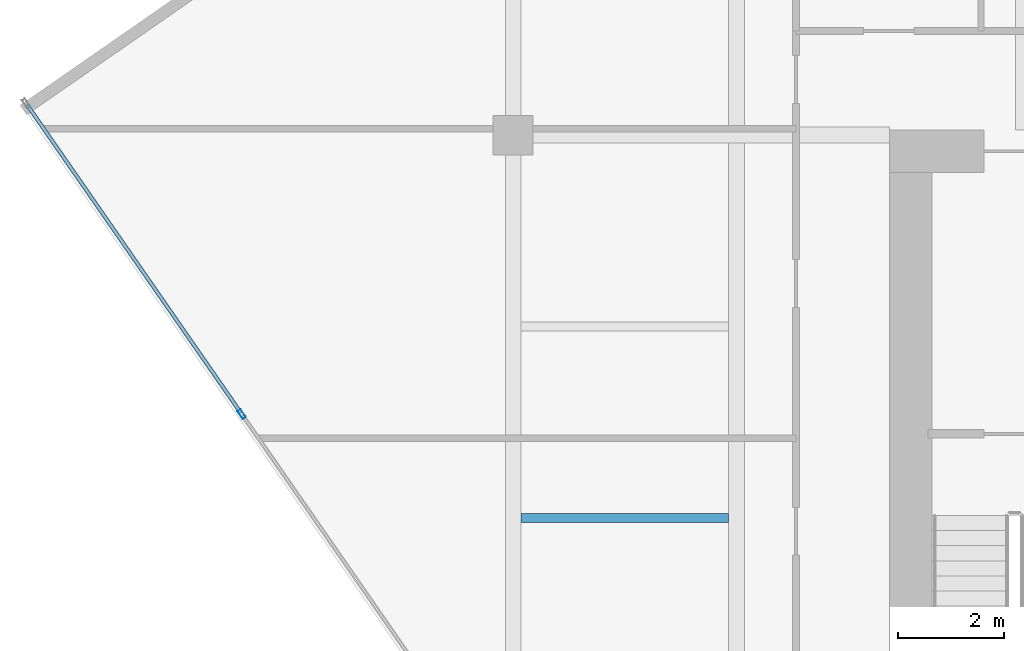
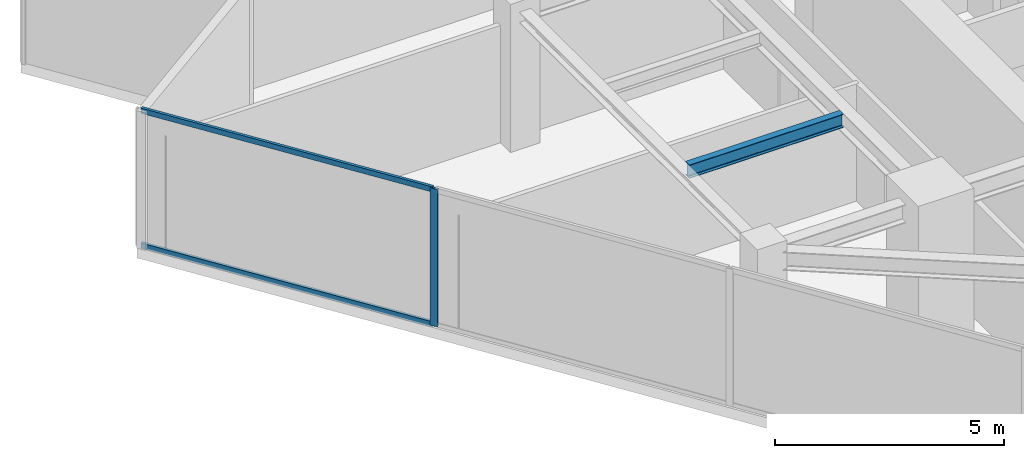
# One storey, part 4 of 21: 3 members, 1 beam, 1 element without a shape of its own.
"""IFC4 building model written with IfcOpenShell, lengths in metres."""

from ifc_helpers import new_model, si_unit, direction, frame, origin, origin_2d, place, context, subcontext, project, spatial, hollow_rectangle, i_section, extrude, source, transform, mapped, material, material_profile, profile_set, type_object, type_shapes, element, aggregate, save


model = new_model("IFC4")

# Units and contexts
model_context = context("Model", 3, precision=1e-05, world=origin(), true_north=direction((0.0, 1.0)))
body_context = subcontext(model_context, "Body", "Model", "MODEL_VIEW")
ifc_project = project(units=[si_unit("LENGTHUNIT", "METRE"), si_unit("AREAUNIT", "SQUARE_METRE"), si_unit("VOLUMEUNIT", "CUBIC_METRE"), si_unit("PLANEANGLEUNIT", "RADIAN"), si_unit("MASSUNIT", "GRAM", prefix="KILO")], contexts=[model_context])

# Site, building, storey
site_placement = place(None, origin())
site = spatial("IfcSite", under=ifc_project, at=site_placement, CompositionType="ELEMENT")
building_placement = place(site_placement, origin())
building = spatial("IfcBuilding", under=site, at=building_placement, Name="Krantzveldt Concourse Tower", CompositionType="ELEMENT")
storey_placement = place(building_placement, frame((0.0, 0.0, 271.35009765625)))
storey = spatial("IfcBuildingStorey", under=building, at=storey_placement, Name="L66", CompositionType="ELEMENT", Elevation=271.35009765625)

# Beam
ifc_material_1 = material(Name="Steel S355JR", Category="steel")
ifc_material_profile_1 = material_profile(ifc_material_1, i_section(OverallWidth=0.169921875, OverallDepth=0.360107421875, WebThickness=0.008056640625, FlangeThickness=0.0126953125, FilletRadius=0.01806640625, at=origin_2d()), Name="Steel S355JR", Category="steel")
ifc_profile_set_1 = profile_set([ifc_material_profile_1], Name="Steel S355JR - IPE 360")
beam_type = type_object("IfcBeamType", Name="BM-J-IPE360", PredefinedType="JOIST", material=ifc_profile_set_1)
shared_shape_1 = source(origin(), body_context, "Body", "SweptSolid", [
    extrude(i_section(OverallWidth=0.169921875, OverallDepth=0.360107421875, WebThickness=0.008056640625, FlangeThickness=0.0126953125, FilletRadius=0.01806640625, at=origin_2d()), origin(), (0.0, 0.0, 1.0), 3.900146484375),
])
type_shapes(beam_type, [shared_shape_1])
beam_placement = place(storey_placement, frame((21.14990234375, 19.5, 3.489990234375), z_axis=(1.0, 0.0, 0.0), x_axis=(0.0, 1.0, 0.0)))
element("IfcBeam", 1, at=beam_placement, inside=storey, type_object=beam_type, Name="L66 Secondary Floor Joist JW-1", PredefinedType="JOIST", context=body_context, shape_type="MappedRepresentation", body=[
    mapped(shared_shape_1, transform((0.0, 0.0, 0.0), x_axis=(1.0, 0.0, 0.0), y_axis=(0.0, 1.0, 0.0), z_axis=(0.0, 0.0, 1.0), scale=1.0)),
])

# Curtain wall, members
ifc_material_2 = material(Name="Anodised aluminium 6063-T6", Category="aluminium")
curtain_wall_type = type_object("IfcCurtainWallType", Name="CW4", PredefinedType="USERDEFINED", material=ifc_material_2)
curtain_wall_placement = place(storey_placement, origin())
curtain_wall = element("IfcCurtainWall", 2, at=curtain_wall_placement, inside=storey, type_object=curtain_wall_type, Name="CW-L66-F08", ObjectType="UNITISED CURTAIN WALL", PredefinedType="USERDEFINED")
ifc_material_profile_2 = material_profile(ifc_material_2, hollow_rectangle(XDim=0.070068359375, YDim=0.179931640625, WallThickness=0.0048828125, at=origin_2d()), Name="Anodised aluminium 6063-T6", Category="aluminium")
ifc_profile_set_2 = profile_set([ifc_material_profile_2], Name="Anodised aluminium 6063-T6 - ALU-MULL 180x70x5")
member_type_1 = type_object("IfcMemberType", Name="CW-MUL-180", PredefinedType="MULLION", material=ifc_profile_set_2)
shared_shape_2 = source(origin(), body_context, "Body", "SweptSolid", [
    extrude(hollow_rectangle(XDim=0.070068359375, YDim=0.179931640625, WallThickness=0.0048828125, at=origin_2d()), origin(), (0.0, 0.0, 1.0), 3.669921875),
])
type_shapes(member_type_1, [shared_shape_2])
member_1_placement = place(storey_placement, frame((15.894287109375, 21.4541015625, 0.0), z_axis=(0.0, 0.0, 1.0), x_axis=(0.821647031735, 0.569996627395, 0.0)))
member_1 = element("IfcMember", 3, at=member_1_placement, type_object=member_type_1, Name="CW-Z56 mullion 2", PredefinedType="MULLION", context=body_context, shape_type="MappedRepresentation", body=[
    mapped(shared_shape_2, transform((0.0, 0.0, 0.0), x_axis=(1.0, 0.0, 0.0), y_axis=(0.0, 1.0, 0.0), z_axis=(0.0, 0.0, 1.0), scale=1.0)),
])
ifc_material_profile_3 = material_profile(ifc_material_2, hollow_rectangle(XDim=0.070068359375, YDim=0.139892578125, WallThickness=0.0048828125, at=origin_2d()), Name="Anodised aluminium 6063-T6", Category="aluminium")
ifc_profile_set_3 = profile_set([ifc_material_profile_3], Name="Anodised aluminium 6063-T6 - ALU-TRAN 140x70x5")
member_type_2 = type_object("IfcMemberType", Name="CW-TRN-150", PredefinedType="USERDEFINED", material=ifc_profile_set_3)
shared_shape_3 = source(origin(), body_context, "Body", "SweptSolid", [
    extrude(hollow_rectangle(XDim=0.070068359375, YDim=0.139892578125, WallThickness=0.0048828125, at=origin_2d()), origin(), (0.0, 0.0, 1.0), 7.045166015625),
])
type_shapes(member_type_2, [shared_shape_3])
member_2_placement = place(storey_placement, frame((11.858642578125, 27.271484375, 0.034912109375), z_axis=(0.569991796641, -0.821650382926, 0.0), x_axis=(0.821650382926, 0.569991796641, 0.0)))
member_2 = element("IfcMember", 4, at=member_2_placement, type_object=member_type_2, Name="CW-Z56 transom 1.1", ObjectType="TRANSOM", PredefinedType="USERDEFINED", context=body_context, shape_type="MappedRepresentation", body=[
    mapped(shared_shape_3, transform((0.0, 0.0, 0.0), x_axis=(1.0, 0.0, 0.0), y_axis=(0.0, 1.0, 0.0), z_axis=(0.0, 0.0, 1.0), scale=1.0)),
])
member_3_placement = place(storey_placement, frame((11.858642578125, 27.271484375, 3.635009765625), z_axis=(0.569991796641, -0.821650382926, 0.0), x_axis=(0.821650382926, 0.569991796641, 0.0)))
member_3 = element("IfcMember", 5, at=member_3_placement, type_object=member_type_2, Name="CW-Z56 transom 1.2", ObjectType="TRANSOM", PredefinedType="USERDEFINED", context=body_context, shape_type="MappedRepresentation", body=[
    mapped(shared_shape_3, transform((0.0, 0.0, 0.0), x_axis=(1.0, 0.0, 0.0), y_axis=(0.0, 1.0, 0.0), z_axis=(0.0, 0.0, 1.0), scale=1.0)),
])
aggregate(curtain_wall, [member_1, member_2, member_3])

save(model, "model.ifc")
